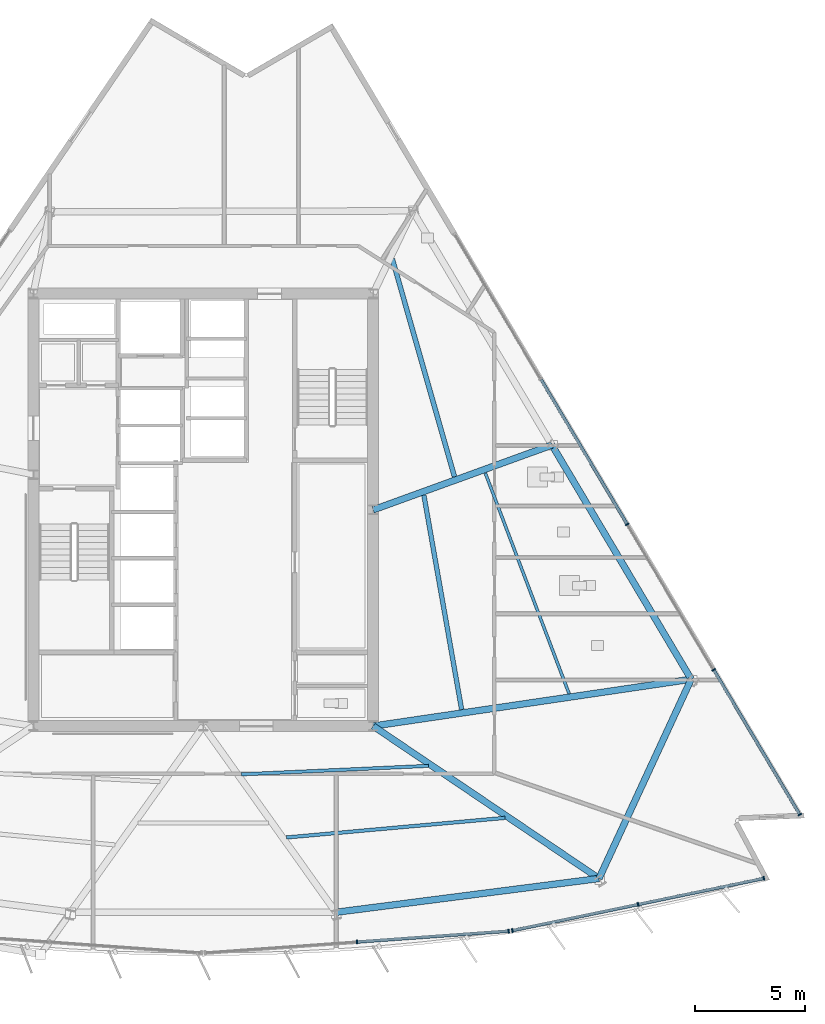
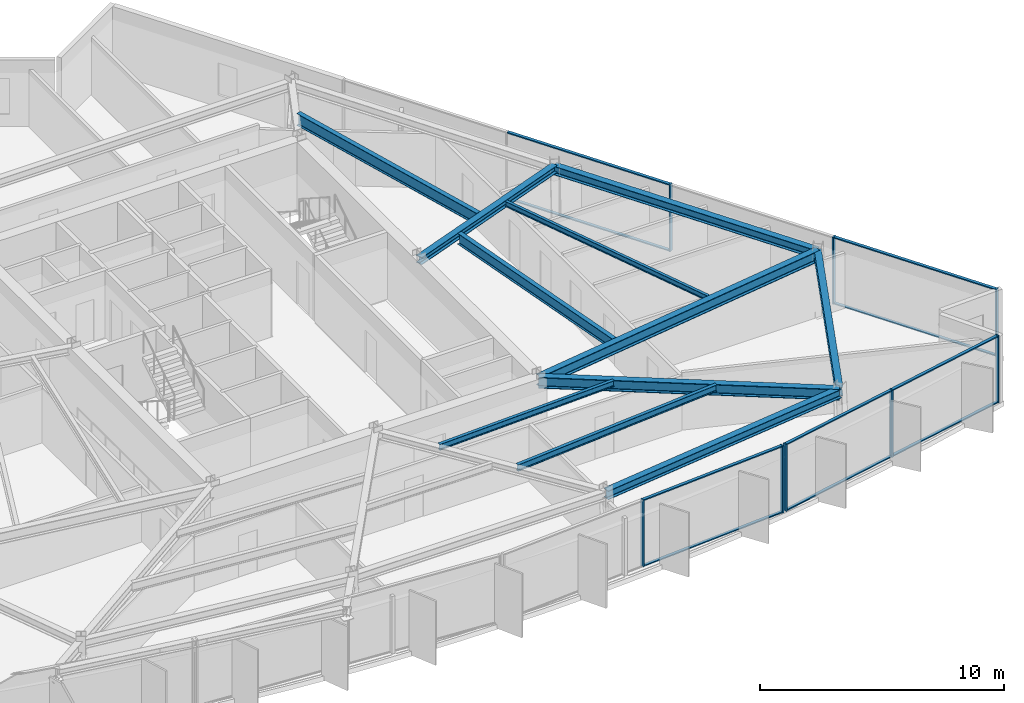
# One storey, part 4 of 15: 18 members, 11 beams, 3 elements without a shape of their own.
"""IFC4 building model written with IfcOpenShell, lengths in metres."""

from ifc_helpers import new_model, si_unit, direction, frame, origin, origin_2d, place, context, subcontext, project, spatial, rectangle, i_section, extrude, material, material_profile, profile_set, type_object, element, aggregate, save


model = new_model("IFC4")

# Units and contexts
model_context = context("Model", 3, precision=1e-05, world=origin(), true_north=direction((0.0, 1.0)))
body_context = subcontext(model_context, "Body", "Model", "MODEL_VIEW")
ifc_project = project(units=[si_unit("LENGTHUNIT", "METRE"), si_unit("AREAUNIT", "SQUARE_METRE"), si_unit("VOLUMEUNIT", "CUBIC_METRE"), si_unit("PLANEANGLEUNIT", "RADIAN"), si_unit("MASSUNIT", "GRAM", prefix="KILO")], contexts=[model_context])

# Site, building, storey
site_placement = place(None, origin())
site = spatial("IfcSite", under=ifc_project, at=site_placement, CompositionType="ELEMENT")
building_placement = place(site_placement, origin())
building = spatial("IfcBuilding", under=site, at=building_placement, Name="Savorim Split Tower", CompositionType="ELEMENT")
storey_placement = place(building_placement, frame((0.0, 0.0, 145.800048828125)))
storey = spatial("IfcBuildingStorey", under=building, at=storey_placement, Name="L38", CompositionType="ELEMENT", Elevation=145.800048828125)

# Beams
ifc_material_1 = material(Name="Steel S355", Category="steel")
ifc_material_profile_1 = material_profile(ifc_material_1, i_section(OverallWidth=0.135009765625, OverallDepth=0.27001953125, WebThickness=0.006591796875, FlangeThickness=0.01025390625, FilletRadius=0.014892578125, at=origin_2d()), Name="IPE 270")
ifc_profile_set_1 = profile_set([ifc_material_profile_1], Name="Steel S355")
beam_type_1 = type_object("IfcBeamType", Name="BM-JST-IPE270", PredefinedType="JOIST", material=ifc_profile_set_1)
beam_1_placement = place(storey_placement, frame((16.577880859375, -7.933349609375, 3.21484375), z_axis=(-0.354973334149, 0.934876426082, 0.0), x_axis=(-0.934876426082, -0.354973334149, 0.0)))
element("IfcBeam", 1, at=beam_1_placement, inside=storey, type_object=beam_type_1, Name="L38 Secondary Floor Joist JS-06", PredefinedType="JOIST", context=body_context, shape_type="SweptSolid", body=[
    extrude(i_section(OverallWidth=0.135009765625, OverallDepth=0.27001953125, WebThickness=0.006591796875, FlangeThickness=0.01025390625, FilletRadius=0.014892578125, at=origin_2d()), origin(), (0.0, 0.0, 1.0), 10.700927734375),
])
ifc_material_profile_2 = material_profile(ifc_material_1, i_section(OverallWidth=0.14990234375, OverallDepth=0.300048828125, WebThickness=0.007080078125, FlangeThickness=0.0107421875, FilletRadius=0.014892578125, at=origin_2d()), Name="IPE 300")
ifc_profile_set_2 = profile_set([ifc_material_profile_2], Name="Steel S355")
beam_type_2 = type_object("IfcBeamType", Name="BM-JST-IPE300", PredefinedType="JOIST", material=ifc_profile_set_2)
beam_2_placement = place(storey_placement, frame((1.722412109375, -11.5869140625, 3.199951171875), z_axis=(0.998977004476, 0.045221062892, 0.0), x_axis=(-0.045221062892, 0.998977004476, 0.0)))
element("IfcBeam", 2, at=beam_2_placement, inside=storey, type_object=beam_type_2, Name="L38 Secondary Floor Joist JS-05", PredefinedType="JOIST", context=body_context, shape_type="SweptSolid", body=[
    extrude(i_section(OverallWidth=0.14990234375, OverallDepth=0.300048828125, WebThickness=0.007080078125, FlangeThickness=0.0107421875, FilletRadius=0.014892578125, at=origin_2d()), origin(), (0.0, 0.0, 1.0), 8.487060546875),
])
ifc_material_profile_3 = material_profile(ifc_material_1, i_section(OverallWidth=0.159912109375, OverallDepth=0.330078125, WebThickness=0.007568359375, FlangeThickness=0.011474609375, FilletRadius=0.01806640625, at=origin_2d()), Name="IPE 330")
ifc_profile_set_3 = profile_set([ifc_material_profile_3], Name="Steel S355")
beam_type_3 = type_object("IfcBeamType", Name="BM-JST-IPE330", PredefinedType="JOIST", material=ifc_profile_set_3)
beam_3_placement = place(storey_placement, frame((3.765380859375, -14.44873046875, 3.18505859375), z_axis=(0.995996282697, 0.089394657862, 0.0), x_axis=(-0.089394657862, 0.995996282697, 0.0)))
element("IfcBeam", 3, at=beam_3_placement, inside=storey, type_object=beam_type_3, Name="L38 Secondary Floor Joist JS-04", PredefinedType="JOIST", context=body_context, shape_type="SweptSolid", body=[
    extrude(i_section(OverallWidth=0.159912109375, OverallDepth=0.330078125, WebThickness=0.007568359375, FlangeThickness=0.011474609375, FilletRadius=0.01806640625, at=origin_2d()), origin(), (0.0, 0.0, 1.0), 9.95458984375),
])
ifc_material_profile_4 = material_profile(ifc_material_1, i_section(OverallWidth=0.2099609375, OverallDepth=0.550048828125, WebThickness=0.010986328125, FlangeThickness=0.01708984375, FilletRadius=0.02392578125, at=origin_2d()), Name="IPE 550")
ifc_profile_set_4 = profile_set([ifc_material_profile_4], Name="Steel S355")
beam_type_4 = type_object("IfcBeamType", Name="BM-JST-IPE550", PredefinedType="JOIST", material=ifc_profile_set_4)
beam_4_placement = place(storey_placement, frame((11.707275390625, -8.647705078125, 3.074951171875), z_axis=(-0.173512765234, 0.984831620279, 0.0), x_axis=(-0.984831620279, -0.173512765234, 0.0)))
element("IfcBeam", 4, at=beam_4_placement, inside=storey, type_object=beam_type_4, Name="L38 Secondary Floor Joist JS-08", PredefinedType="JOIST", context=body_context, shape_type="SweptSolid", body=[
    extrude(i_section(OverallWidth=0.2099609375, OverallDepth=0.550048828125, WebThickness=0.010986328125, FlangeThickness=0.01708984375, FilletRadius=0.02392578125, at=origin_2d()), origin(), (0.0, 0.0, 1.0), 9.862060546875),
])
ifc_material_profile_5 = material_profile(ifc_material_1, i_section(OverallWidth=0.219970703125, OverallDepth=0.60009765625, WebThickness=0.011962890625, FlangeThickness=0.01904296875, FilletRadius=0.02392578125, at=origin_2d()), Name="IPE 600")
ifc_profile_set_5 = profile_set([ifc_material_profile_5], Name="Steel S355")
beam_type_5 = type_object("IfcBeamType", Name="BM-JST-IPE600", PredefinedType="JOIST", material=ifc_profile_set_5)
beam_5_placement = place(storey_placement, frame((11.38232421875, 1.904541015625, 3.050048828125), z_axis=(-0.2743533798, 0.961628942468, 0.0), x_axis=(-0.961628942468, -0.2743533798, 0.0)))
element("IfcBeam", 5, at=beam_5_placement, inside=storey, type_object=beam_type_5, Name="L38 Secondary Floor Joist JS-07", PredefinedType="JOIST", context=body_context, shape_type="SweptSolid", body=[
    extrude(i_section(OverallWidth=0.219970703125, OverallDepth=0.60009765625, WebThickness=0.011962890625, FlangeThickness=0.01904296875, FilletRadius=0.02392578125, at=origin_2d()), origin(), (0.0, 0.0, 1.0), 10.25927734375),
])
ifc_material_profile_6 = material_profile(ifc_material_1, i_section(OverallWidth=0.300048828125, OverallDepth=0.360107421875, WebThickness=0.012451171875, FlangeThickness=0.0224609375, FilletRadius=0.027099609375, at=origin_2d()), Name="HEB 360")
ifc_profile_set_6 = profile_set([ifc_material_profile_6], Name="Steel S355")
beam_type_6 = type_object("IfcBeamType", Name="BM-PRI-HEB360", PredefinedType="BEAM", material=ifc_profile_set_6)
beam_6_placement = place(storey_placement, frame((15.800537109375, 3.336181640625, 3.169921875), z_axis=(-0.940142873737, -0.340780540761, 0.0), x_axis=(0.340780540761, -0.940142873737, 0.0)))
element("IfcBeam", 6, at=beam_6_placement, inside=storey, type_object=beam_type_6, Name="L38 Primary Floor Girder RG-06", PredefinedType="BEAM", context=body_context, shape_type="SweptSolid", body=[
    extrude(i_section(OverallWidth=0.300048828125, OverallDepth=0.360107421875, WebThickness=0.012451171875, FlangeThickness=0.0224609375, FilletRadius=0.027099609375, at=origin_2d()), origin(), (0.0, 0.0, 1.0), 8.616455078125),
])
ifc_material_profile_7 = material_profile(ifc_material_1, i_section(OverallWidth=0.300048828125, OverallDepth=0.550048828125, WebThickness=0.014892578125, FlangeThickness=0.029052734375, FilletRadius=0.027099609375, at=origin_2d()), Name="HEB 550")
ifc_profile_set_7 = profile_set([ifc_material_profile_7], Name="Steel S355")
beam_type_7 = type_object("IfcBeamType", Name="BM-PRI-HEB550", PredefinedType="BEAM", material=ifc_profile_set_7)
beam_7_placement = place(storey_placement, frame((17.9326171875, -16.3076171875, 3.074951171875), z_axis=(-0.828823685095, 0.559509873931, 0.0), x_axis=(-0.559509873931, -0.828823685095, 0.0)))
element("IfcBeam", 7, at=beam_7_placement, inside=storey, type_object=beam_type_7, Name="L38 Primary Floor Girder RG-04", PredefinedType="BEAM", context=body_context, shape_type="SweptSolid", body=[
    extrude(i_section(OverallWidth=0.300048828125, OverallDepth=0.550048828125, WebThickness=0.014892578125, FlangeThickness=0.029052734375, FilletRadius=0.027099609375, at=origin_2d()), origin(), (0.0, 0.0, 1.0), 12.345947265625),
])
beam_8_placement = place(storey_placement, frame((22.110595703125, -7.275634765625, 3.074951171875), z_axis=(-0.989309121764, -0.145833677845, 0.0), x_axis=(0.145833677845, -0.989309121764, 0.0)))
element("IfcBeam", 8, at=beam_8_placement, inside=storey, type_object=beam_type_7, Name="L38 Primary Floor Girder RG-05", PredefinedType="BEAM", context=body_context, shape_type="SweptSolid", body=[
    extrude(i_section(OverallWidth=0.300048828125, OverallDepth=0.550048828125, WebThickness=0.014892578125, FlangeThickness=0.029052734375, FilletRadius=0.027099609375, at=origin_2d()), origin(), (0.0, 0.0, 1.0), 14.56640625),
])
ifc_material_profile_8 = material_profile(ifc_material_1, i_section(OverallWidth=0.300048828125, OverallDepth=0.43994140625, WebThickness=0.011474609375, FlangeThickness=0.02099609375, FilletRadius=0.027099609375, at=origin_2d()), Name="HEA 450")
ifc_profile_set_8 = profile_set([ifc_material_profile_8], Name="Steel S355")
beam_type_8 = type_object("IfcBeamType", Name="BM-SPN-HEA450", PredefinedType="SPANDREL", material=ifc_profile_set_8)
beam_9_placement = place(storey_placement, frame((6.01025390625, -17.83837890625, 3.1298828125), z_axis=(0.991857999764, 0.127348766403, 0.0), x_axis=(-0.127348766403, 0.991857999764, 0.0)))
element("IfcBeam", 9, at=beam_9_placement, inside=storey, type_object=beam_type_8, Name="L38 Perimeter Spandrel Beam 3", PredefinedType="SPANDREL", context=body_context, shape_type="SweptSolid", body=[
    extrude(i_section(OverallWidth=0.300048828125, OverallDepth=0.43994140625, WebThickness=0.011474609375, FlangeThickness=0.02099609375, FilletRadius=0.027099609375, at=origin_2d()), origin(), (0.0, 0.0, 1.0), 12.020263671875),
])
beam_10_placement = place(storey_placement, frame((17.9326171875, -16.3076171875, 3.1298828125), z_axis=(0.419834346209, 0.907600750189, 0.0), x_axis=(-0.907600750189, 0.419834346209, 0.0)))
element("IfcBeam", 10, at=beam_10_placement, inside=storey, type_object=beam_type_8, Name="L38 Perimeter Spandrel Beam 4", PredefinedType="SPANDREL", context=body_context, shape_type="SweptSolid", body=[
    extrude(i_section(OverallWidth=0.300048828125, OverallDepth=0.43994140625, WebThickness=0.011474609375, FlangeThickness=0.02099609375, FilletRadius=0.027099609375, at=origin_2d()), origin(), (0.0, 0.0, 1.0), 9.951416015625),
])
beam_11_placement = place(storey_placement, frame((22.110595703125, -7.275634765625, 3.1298828125), z_axis=(-0.511095135359, 0.859524148941, 0.0), x_axis=(-0.859524148941, -0.511095135359, 0.0)))
element("IfcBeam", 11, at=beam_11_placement, inside=storey, type_object=beam_type_8, Name="L38 Perimeter Spandrel Beam 5", PredefinedType="SPANDREL", context=body_context, shape_type="SweptSolid", body=[
    extrude(i_section(OverallWidth=0.300048828125, OverallDepth=0.43994140625, WebThickness=0.011474609375, FlangeThickness=0.02099609375, FilletRadius=0.027099609375, at=origin_2d()), origin(), (0.0, 0.0, 1.0), 12.34619140625),
])

# Curtain wall, members
ifc_material_2 = material(Name="Dark Ceramic-Fritted Insulated Glass", Category="glass")
curtain_wall_type = type_object("IfcCurtainWallType", Name="CW-TWR-FRIT-A", PredefinedType="NOTDEFINED", material=ifc_material_2)
curtain_wall_1_placement = place(storey_placement, origin())
curtain_wall_1 = element("IfcCurtainWall", 12, at=curtain_wall_1_placement, inside=storey, type_object=curtain_wall_type, Name="L38 Curtain Wall CW-L38-SF3", PredefinedType="NOTDEFINED")
ifc_material_3 = material(Name="Charcoal Anodised Aluminium", Category="aluminium")
ifc_material_profile_9 = material_profile(ifc_material_3, rectangle(XDim=0.179931640625, YDim=0.06494140625, at=origin_2d()), Name="ALU-M 180x65")
ifc_profile_set_9 = profile_set([ifc_material_profile_9], Name="Charcoal Anodised Aluminium")
member_type_1 = type_object("IfcMemberType", Name="CWM-180x65", PredefinedType="MULLION", material=ifc_profile_set_9)
member_1_placement = place(storey_placement, frame((6.9619140625, -19.181884765625, 0.0), z_axis=(0.0, 0.0, 1.0), x_axis=(-0.071560918492, 0.997436231017, 0.0)))
member_1 = element("IfcMember", 13, at=member_1_placement, type_object=member_type_1, Name="CW-02 mullion 2", PredefinedType="MULLION", context=body_context, shape_type="SweptSolid", body=[
    extrude(rectangle(XDim=0.179931640625, YDim=0.06494140625, at=origin_2d()), origin(), (0.0, 0.0, 1.0), 3.349853515625),
])
member_2_placement = place(storey_placement, frame((13.840087890625, -18.688232421875, 0.0), z_axis=(0.0, 0.0, 1.0), x_axis=(-0.071560918492, 0.997436231017, 0.0)))
member_2 = element("IfcMember", 14, at=member_2_placement, type_object=member_type_1, Name="CW-02 mullion 3", PredefinedType="MULLION", context=body_context, shape_type="SweptSolid", body=[
    extrude(rectangle(XDim=0.179931640625, YDim=0.06494140625, at=origin_2d()), origin(), (0.0, 0.0, 1.0), 3.349853515625),
])

curtain_wall_2_placement = place(storey_placement, origin())
curtain_wall_2 = element("IfcCurtainWall", 15, at=curtain_wall_2_placement, inside=storey, type_object=curtain_wall_type, Name="L38 Curtain Wall CW-L38-SF4", PredefinedType="NOTDEFINED")
member_3_placement = place(storey_placement, frame((14.007080078125, -18.6650390625, 0.0), z_axis=(0.0, 0.0, 1.0), x_axis=(-0.203209964912, 0.979135184824, 0.0)))
member_3 = element("IfcMember", 16, at=member_3_placement, type_object=member_type_1, Name="CW-02 mullion 1", PredefinedType="MULLION", context=body_context, shape_type="SweptSolid", body=[
    extrude(rectangle(XDim=0.179931640625, YDim=0.06494140625, at=origin_2d()), origin(), (0.0, 0.0, 1.0), 3.349853515625),
])
member_4_placement = place(storey_placement, frame((19.70458984375, -17.482666015625, 0.0), z_axis=(0.0, 0.0, 1.0), x_axis=(-0.203209964912, 0.979135184824, 0.0)))
member_4 = element("IfcMember", 17, at=member_4_placement, type_object=member_type_1, Name="CW-02 mullion 2", PredefinedType="MULLION", context=body_context, shape_type="SweptSolid", body=[
    extrude(rectangle(XDim=0.179931640625, YDim=0.06494140625, at=origin_2d()), origin(), (0.0, 0.0, 1.0), 3.349853515625),
])
member_5_placement = place(storey_placement, frame((25.402099609375, -16.30029296875, 0.0), z_axis=(0.0, 0.0, 1.0), x_axis=(-0.203209964912, 0.979135184824, 0.0)))
member_5 = element("IfcMember", 18, at=member_5_placement, type_object=member_type_1, Name="CW-02 mullion 3", PredefinedType="MULLION", context=body_context, shape_type="SweptSolid", body=[
    extrude(rectangle(XDim=0.179931640625, YDim=0.06494140625, at=origin_2d()), origin(), (0.0, 0.0, 1.0), 3.349853515625),
])

curtain_wall_3_placement = place(storey_placement, origin())
curtain_wall_3 = element("IfcCurtainWall", 19, at=curtain_wall_3_placement, inside=storey, type_object=curtain_wall_type, Name="L38 Curtain Wall CW-L38-EAST", PredefinedType="NOTDEFINED")
member_6_placement = place(storey_placement, frame((27.032470703125, -13.41357421875, 0.0), z_axis=(0.0, 0.0, 1.0), x_axis=(-0.859526328423, -0.511091470039, 0.0)))
member_6 = element("IfcMember", 20, at=member_6_placement, type_object=member_type_1, Name="CW-02 mullion 1", PredefinedType="MULLION", context=body_context, shape_type="SweptSolid", body=[
    extrude(rectangle(XDim=0.179931640625, YDim=0.06494140625, at=origin_2d()), origin(), (0.0, 0.0, 1.0), 3.349853515625),
])
member_7_placement = place(storey_placement, frame((23.12939453125, -6.849609375, 0.0), z_axis=(0.0, 0.0, 1.0), x_axis=(-0.859526328423, -0.511091470039, 0.0)))
member_7 = element("IfcMember", 21, at=member_7_placement, type_object=member_type_1, Name="CW-02 mullion 2", PredefinedType="MULLION", context=body_context, shape_type="SweptSolid", body=[
    extrude(rectangle(XDim=0.179931640625, YDim=0.06494140625, at=origin_2d()), origin(), (0.0, 0.0, 1.0), 3.349853515625),
])
member_8_placement = place(storey_placement, frame((19.209716796875, -0.257568359375, 0.0), z_axis=(0.0, 0.0, 1.0), x_axis=(-0.859526328423, -0.511091470039, 0.0)))
member_8 = element("IfcMember", 22, at=member_8_placement, type_object=member_type_1, Name="CW-02 mullion 3", PredefinedType="MULLION", context=body_context, shape_type="SweptSolid", body=[
    extrude(rectangle(XDim=0.179931640625, YDim=0.06494140625, at=origin_2d()), origin(), (0.0, 0.0, 1.0), 3.349853515625),
])

# Member
ifc_material_profile_10 = material_profile(ifc_material_3, rectangle(XDim=0.139892578125, YDim=0.054931640625, at=origin_2d()), Name="ALU-T 140x55")
ifc_profile_set_10 = profile_set([ifc_material_profile_10], Name="Charcoal Anodised Aluminium")
member_type_2 = type_object("IfcMemberType", Name="CWT-140x55", PredefinedType="USERDEFINED", material=ifc_profile_set_10)
member_9_placement = place(storey_placement, frame((6.994384765625, -19.179443359375, 0.02734375), z_axis=(0.99743669961, 0.071554386807, 0.0), x_axis=(-0.071554386807, 0.99743669961, 0.0)))
member_9 = element("IfcMember", 23, at=member_9_placement, type_object=member_type_2, Name="CW-02 transom 2.1", ObjectType="TRANSOM", PredefinedType="USERDEFINED", context=body_context, shape_type="SweptSolid", body=[
    extrude(rectangle(XDim=0.139892578125, YDim=0.054931640625, at=origin_2d()), origin(), (0.0, 0.0, 1.0), 6.830810546875),
])

member_10_placement = place(storey_placement, frame((6.994384765625, -19.179443359375, 3.322509765625), z_axis=(0.99743669961, 0.071554386807, 0.0), x_axis=(-0.071554386807, 0.99743669961, 0.0)))
member_10 = element("IfcMember", 24, at=member_10_placement, type_object=member_type_2, Name="CW-02 transom 2.2", ObjectType="TRANSOM", PredefinedType="USERDEFINED", context=body_context, shape_type="SweptSolid", body=[
    extrude(rectangle(XDim=0.139892578125, YDim=0.054931640625, at=origin_2d()), origin(), (0.0, 0.0, 1.0), 6.830810546875),
])

aggregate(curtain_wall_1, [member_1, member_2, member_9, member_10])

member_11_placement = place(storey_placement, frame((14.0390625, -18.658447265625, 0.02734375), z_axis=(0.979135111877, 0.203210316394, 0.0), x_axis=(-0.203210316394, 0.979135111877, 0.0)))
member_11 = element("IfcMember", 25, at=member_11_placement, type_object=member_type_2, Name="CW-02 transom 1.1", ObjectType="TRANSOM", PredefinedType="USERDEFINED", context=body_context, shape_type="SweptSolid", body=[
    extrude(rectangle(XDim=0.139892578125, YDim=0.054931640625, at=origin_2d()), origin(), (0.0, 0.0, 1.0), 5.753662109375),
])

member_12_placement = place(storey_placement, frame((14.0390625, -18.658447265625, 3.322509765625), z_axis=(0.979135111877, 0.203210316394, 0.0), x_axis=(-0.203210316394, 0.979135111877, 0.0)))
member_12 = element("IfcMember", 26, at=member_12_placement, type_object=member_type_2, Name="CW-02 transom 1.2", ObjectType="TRANSOM", PredefinedType="USERDEFINED", context=body_context, shape_type="SweptSolid", body=[
    extrude(rectangle(XDim=0.139892578125, YDim=0.054931640625, at=origin_2d()), origin(), (0.0, 0.0, 1.0), 5.753662109375),
])

member_13_placement = place(storey_placement, frame((19.736328125, -17.47607421875, 0.02734375), z_axis=(0.979136864004, 0.203201873883, 0.0), x_axis=(-0.203201873883, 0.979136864004, 0.0)))
member_13 = element("IfcMember", 27, at=member_13_placement, type_object=member_type_2, Name="CW-02 transom 2.1", ObjectType="TRANSOM", PredefinedType="USERDEFINED", context=body_context, shape_type="SweptSolid", body=[
    extrude(rectangle(XDim=0.139892578125, YDim=0.054931640625, at=origin_2d()), origin(), (0.0, 0.0, 1.0), 5.75390625),
])

member_14_placement = place(storey_placement, frame((19.736328125, -17.47607421875, 3.322509765625), z_axis=(0.979136864004, 0.203201873883, 0.0), x_axis=(-0.203201873883, 0.979136864004, 0.0)))
member_14 = element("IfcMember", 28, at=member_14_placement, type_object=member_type_2, Name="CW-02 transom 2.2", ObjectType="TRANSOM", PredefinedType="USERDEFINED", context=body_context, shape_type="SweptSolid", body=[
    extrude(rectangle(XDim=0.139892578125, YDim=0.054931640625, at=origin_2d()), origin(), (0.0, 0.0, 1.0), 5.75390625),
])

aggregate(curtain_wall_2, [member_3, member_4, member_5, member_11, member_12, member_13, member_14])

member_15_placement = place(storey_placement, frame((27.015869140625, -13.385498046875, 0.02734375), z_axis=(-0.511096639182, 0.859523254727, 0.0), x_axis=(-0.859523254727, -0.511096639182, 0.0)))
member_15 = element("IfcMember", 29, at=member_15_placement, type_object=member_type_2, Name="CW-02 transom 1.1", ObjectType="TRANSOM", PredefinedType="USERDEFINED", context=body_context, shape_type="SweptSolid", body=[
    extrude(rectangle(XDim=0.139892578125, YDim=0.054931640625, at=origin_2d()), origin(), (0.0, 0.0, 1.0), 7.57177734375),
])

member_16_placement = place(storey_placement, frame((27.015869140625, -13.385498046875, 3.322509765625), z_axis=(-0.511096639182, 0.859523254727, 0.0), x_axis=(-0.859523254727, -0.511096639182, 0.0)))
member_16 = element("IfcMember", 30, at=member_16_placement, type_object=member_type_2, Name="CW-02 transom 1.2", ObjectType="TRANSOM", PredefinedType="USERDEFINED", context=body_context, shape_type="SweptSolid", body=[
    extrude(rectangle(XDim=0.139892578125, YDim=0.054931640625, at=origin_2d()), origin(), (0.0, 0.0, 1.0), 7.57177734375),
])

member_17_placement = place(storey_placement, frame((19.193115234375, -0.229736328125, 0.02734375), z_axis=(-0.511087573167, 0.859528645569, 0.0), x_axis=(-0.859528645569, -0.511087573167, 0.0)))
member_17 = element("IfcMember", 31, at=member_17_placement, type_object=member_type_2, Name="CW-02 transom 3.1", ObjectType="TRANSOM", PredefinedType="USERDEFINED", context=body_context, shape_type="SweptSolid", body=[
    extrude(rectangle(XDim=0.139892578125, YDim=0.054931640625, at=origin_2d()), origin(), (0.0, 0.0, 1.0), 7.604248046875),
])

member_18_placement = place(storey_placement, frame((19.193115234375, -0.229736328125, 3.322509765625), z_axis=(-0.511087573167, 0.859528645569, 0.0), x_axis=(-0.859528645569, -0.511087573167, 0.0)))
member_18 = element("IfcMember", 32, at=member_18_placement, type_object=member_type_2, Name="CW-02 transom 3.2", ObjectType="TRANSOM", PredefinedType="USERDEFINED", context=body_context, shape_type="SweptSolid", body=[
    extrude(rectangle(XDim=0.139892578125, YDim=0.054931640625, at=origin_2d()), origin(), (0.0, 0.0, 1.0), 7.604248046875),
])

aggregate(curtain_wall_3, [member_6, member_7, member_8, member_15, member_16, member_17, member_18])

save(model, "model.ifc")
